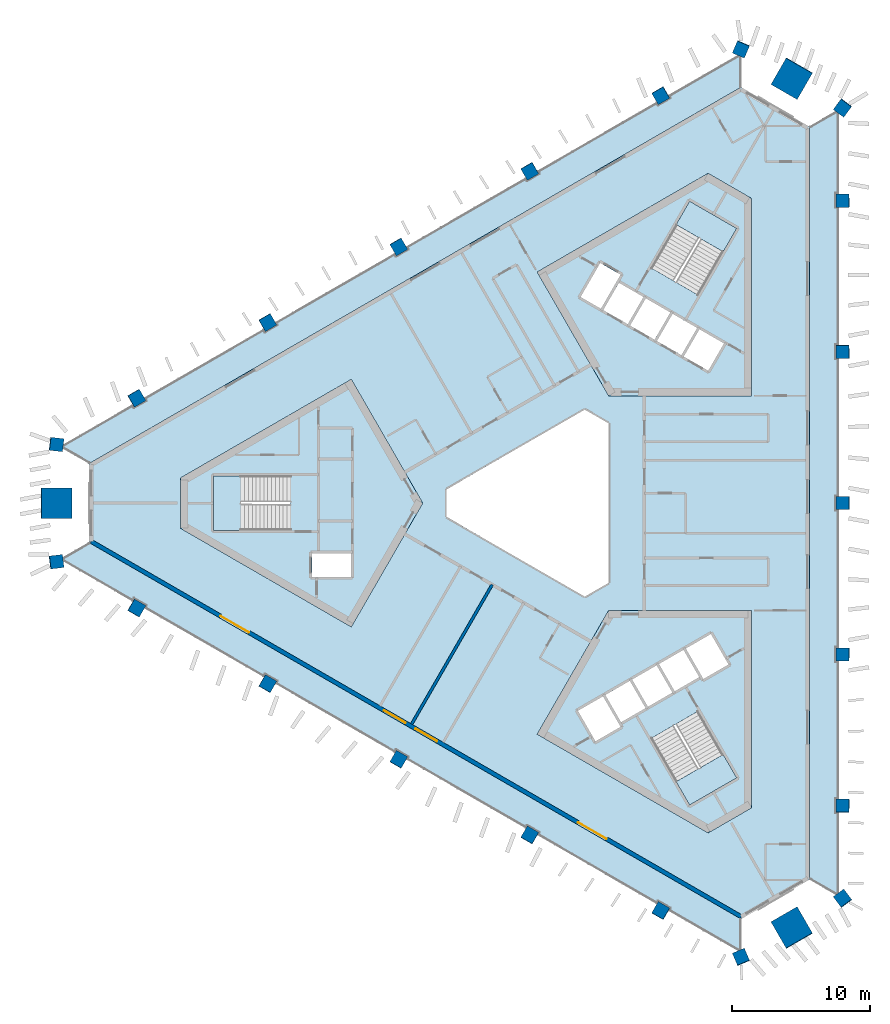
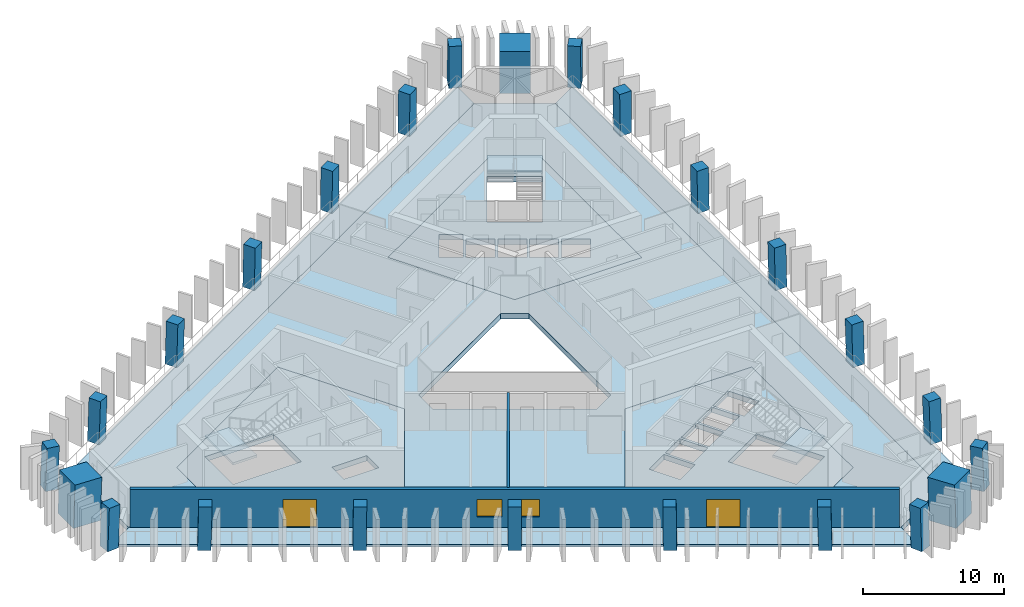
# One storey, part 1 of 10: 24 columns, 10 slabs, 2 doors, 2 walls, 2 windows, 4 openings, 3 elements without a shape of their own.
"""IFC4 building model written with IfcOpenShell, lengths in metres."""

from ifc_helpers import new_model, si_unit, direction, frame, frame_2d, origin, origin_2d, place, context, subcontext, project, spatial, polyline, rectangle, outline, extrude, material, layer, layer_set, material_profile, profile_set, type_object, element, fill, aggregate, save


model = new_model("IFC4")

# Units and contexts
model_context = context("Model", 3, precision=1e-05, world=origin(), true_north=direction((0.0, 1.0)))
body_context = subcontext(model_context, "Body", "Model", "MODEL_VIEW")
ifc_project = project(units=[si_unit("LENGTHUNIT", "METRE"), si_unit("AREAUNIT", "SQUARE_METRE"), si_unit("VOLUMEUNIT", "CUBIC_METRE"), si_unit("PLANEANGLEUNIT", "RADIAN"), si_unit("MASSUNIT", "GRAM", prefix="KILO")], contexts=[model_context])

# Site, building, storey
site_placement = place(None, origin())
site = spatial("IfcSite", under=ifc_project, at=site_placement, CompositionType="ELEMENT")
building_placement = place(site_placement, origin())
building = spatial("IfcBuilding", under=site, at=building_placement, Name="Jabali Bay Hotel Tower and Convention Centre", CompositionType="ELEMENT")
storey_placement = place(building_placement, frame((0.0, 0.0, 156.300048828125)))
storey = spatial("IfcBuildingStorey", under=building, at=storey_placement, Name="L37", CompositionType="ELEMENT", Elevation=156.300048828125)

# Columns
ifc_material_1 = material(Name="Concrete C60", Category="concrete")
ifc_material_profile_1 = material_profile(ifc_material_1, rectangle(XDim=0.949951171875, YDim=0.949951171875, at=origin_2d()), Name="Frame column 950")
ifc_profile_set_1 = profile_set([ifc_material_profile_1], Name="Concrete C60")
column_type_1 = type_object("IfcColumnType", Name="Frame column 950", PredefinedType="COLUMN", material=ifc_profile_set_1)
column_1_placement = place(storey_placement, frame((83.29052734375, 109.61279296875, 0.0), z_axis=(-0.008376454378, -0.028163354484, 0.999568237028), x_axis=(0.865847772055, 0.49985224108, 0.021339463807)))
element("IfcColumn", 1, at=column_1_placement, inside=storey, type_object=column_type_1, Name="FC4 F1.1 L37", PredefinedType="COLUMN", context=body_context, shape_type="SweptSolid", body=[
    extrude(rectangle(XDim=0.949951171875, YDim=0.949951171875, at=origin_2d()), origin(), (0.0, 0.0, 1.0), 3.70166015625),
])
column_2_placement = place(storey_placement, frame((73.770263671875, 104.1162109375, 0.0), z_axis=(0.000857578916, -0.022824792675, 0.999739112668), x_axis=(0.866060219769, 0.499825848733, 0.01066848966)))
element("IfcColumn", 2, at=column_2_placement, inside=storey, type_object=column_type_1, Name="FC4 F1.2 L37", PredefinedType="COLUMN", context=body_context, shape_type="SweptSolid", body=[
    extrude(rectangle(XDim=0.949951171875, YDim=0.949951171875, at=origin_2d()), origin(), (0.0, 0.0, 1.0), 3.700927734375),
])
column_3_placement = place(storey_placement, frame((64.25, 98.61962890625, 0.0), z_axis=(0.010093620709, -0.017482414954, 0.999796221231), x_axis=(-0.499897086036, 0.865849517735, 0.020187025824)))
element("IfcColumn", 3, at=column_3_placement, inside=storey, type_object=column_type_1, Name="FC4 F1.3 L37", PredefinedType="COLUMN", context=body_context, shape_type="SweptSolid", body=[
    extrude(rectangle(XDim=0.949951171875, YDim=0.949951171875, at=origin_2d()), origin(), (0.0, 0.0, 1.0), 3.70068359375),
])
column_4_placement = place(storey_placement, frame((54.729736328125, 93.123046875, 0.0), z_axis=(0.019262573858, -0.012138060239, 0.999740776773), x_axis=(-0.498866616408, 0.866444929774, 0.020131634383)))
element("IfcColumn", 4, at=column_4_placement, inside=storey, type_object=column_type_1, Name="FC4 F1.4 L37", PredefinedType="COLUMN", context=body_context, shape_type="SweptSolid", body=[
    extrude(rectangle(XDim=0.949951171875, YDim=0.949951171875, at=origin_2d()), origin(), (0.0, 0.0, 1.0), 3.700927734375),
])
for number, where, z_axis, x_axis, name in (
    (5, (45.209228515625, 87.62646484375, 0.0), (0.02855911485, -0.006793507689, 0.999569019734), (-0.50039805324, 0.86556025987, 0.020179812855), "FC4 F1.5 L37"),
    (6, (45.209228515625, 72.37353515625, 0.0), (0.02855911485, 0.006793507689, 0.999569019734), (-0.865324312193, 0.500758709147, 0.021320176848), "FC4 F2.1 L37"),
):
    element("IfcColumn", number, at=place(storey_placement, frame(where, z_axis=z_axis, x_axis=x_axis)), inside=storey, type_object=column_type_1, Name=name, PredefinedType="COLUMN", context=body_context, shape_type="SweptSolid", body=[
        extrude(rectangle(XDim=0.949951171875, YDim=0.949951171875, at=origin_2d()), origin(), (0.0, 0.0, 1.0), 3.70166015625),
    ])
column_5_placement = place(storey_placement, frame((54.729736328125, 66.876953125, 0.0), z_axis=(0.019262573858, 0.012138060239, 0.999740776773), x_axis=(-0.866464686114, 0.499125085687, 0.010634686412)))
element("IfcColumn", 7, at=column_5_placement, inside=storey, type_object=column_type_1, Name="FC4 F2.2 L37", PredefinedType="COLUMN", context=body_context, shape_type="SweptSolid", body=[
    extrude(rectangle(XDim=0.949951171875, YDim=0.949951171875, at=origin_2d()), origin(), (0.0, 0.0, 1.0), 3.700927734375),
])
column_6_placement = place(storey_placement, frame((64.25, 61.38037109375, 0.0), z_axis=(0.010093620709, 0.017482414954, 0.999796221231), x_axis=(-0.866025993948, 0.499998977805, 1.48331e-07)))
element("IfcColumn", 8, at=column_6_placement, inside=storey, type_object=column_type_1, Name="FC4 F2.3 L37", PredefinedType="COLUMN", context=body_context, shape_type="SweptSolid", body=[
    extrude(rectangle(XDim=0.949951171875, YDim=0.949951171875, at=origin_2d()), origin(), (0.0, 0.0, 1.0), 3.70068359375),
])
column_7_placement = place(storey_placement, frame((73.770263671875, 55.8837890625, 0.0), z_axis=(0.000857578916, 0.022824792675, 0.999739112668), x_axis=(-0.499938956565, -0.865825126557, 0.020196285069)))
element("IfcColumn", 9, at=column_7_placement, inside=storey, type_object=column_type_1, Name="FC4 F2.4 L37", PredefinedType="COLUMN", context=body_context, shape_type="SweptSolid", body=[
    extrude(rectangle(XDim=0.949951171875, YDim=0.949951171875, at=origin_2d()), origin(), (0.0, 0.0, 1.0), 3.700927734375),
])
for number, where, z_axis, x_axis, name in (
    (10, (83.29052734375, 50.38720703125, 0.0), (-0.008376454378, 0.028163354484, 0.999568237028), (-0.500237414274, -0.865652680093, 0.020198188241), "FC4 F2.5 L37"),
    (11, (96.500244140625, 58.013671875, 0.0), (-0.020182631348, 0.021369844956, 0.999567902205), (-0.001315292007, -0.999771248084, 0.021347634776), "FC4 F0.1 L37"),
):
    element("IfcColumn", number, at=place(storey_placement, frame(where, z_axis=z_axis, x_axis=x_axis)), inside=storey, type_object=column_type_1, Name=name, PredefinedType="COLUMN", context=body_context, shape_type="SweptSolid", body=[
        extrude(rectangle(XDim=0.949951171875, YDim=0.949951171875, at=origin_2d()), origin(), (0.0, 0.0, 1.0), 3.70166015625),
    ])
column_8_placement = place(storey_placement, frame((96.500244140625, 69.0068359375, 0.0), z_axis=(-0.020186088539, 0.010686752756, 0.999739123544), x_axis=(-0.001012906877, -0.999942577175, 0.010668475618)))
element("IfcColumn", 12, at=column_8_placement, inside=storey, type_object=column_type_1, Name="FC4 F0.2 L37", PredefinedType="COLUMN", context=body_context, shape_type="SweptSolid", body=[
    extrude(rectangle(XDim=0.949951171875, YDim=0.949951171875, at=origin_2d()), origin(), (0.0, 0.0, 1.0), 3.700927734375),
])
column_9_placement = place(storey_placement, frame((96.500244140625, 80.0, 0.0), z_axis=(-0.020187241331, 0.0, 0.99979621688), x_axis=(0.0, -1.0, 0.0)))
element("IfcColumn", 13, at=column_9_placement, inside=storey, type_object=column_type_1, Name="FC4 F0.3 L37", PredefinedType="COLUMN", context=body_context, shape_type="SweptSolid", body=[
    extrude(rectangle(XDim=0.949951171875, YDim=0.949951171875, at=origin_2d()), origin(), (0.0, 0.0, 1.0), 3.70068359375),
])
column_10_placement = place(storey_placement, frame((96.500244140625, 90.9931640625, 0.0), z_axis=(-0.020186088539, -0.010686752756, 0.999739123544), x_axis=(0.999795727061, 0.00079728784, 0.020195754082)))
element("IfcColumn", 14, at=column_10_placement, inside=storey, type_object=column_type_1, Name="FC4 F0.4 L37", PredefinedType="COLUMN", context=body_context, shape_type="SweptSolid", body=[
    extrude(rectangle(XDim=0.949951171875, YDim=0.949951171875, at=origin_2d()), origin(), (0.0, 0.0, 1.0), 3.700927734375),
])
column_11_placement = place(storey_placement, frame((96.500244140625, 101.986328125, 0.0), z_axis=(-0.020182631348, -0.021369844956, 0.999567902205), x_axis=(0.999795444778, 0.000883872229, 0.020206122118)))
element("IfcColumn", 15, at=column_11_placement, inside=storey, type_object=column_type_1, Name="FC4 F0.5 L37", PredefinedType="COLUMN", context=body_context, shape_type="SweptSolid", body=[
    extrude(rectangle(XDim=0.949951171875, YDim=0.949951171875, at=origin_2d()), origin(), (0.0, 0.0, 1.0), 3.70166015625),
])
for number, where, z_axis, x_axis, name in (
    (16, (96.500244140625, 51.28076171875, 0.0), (-0.020178741915, 0.029015184452, 0.999375273581), (-0.800633531076, -0.599153099947, 0.001229528437), "FC4 V0 L37"),
    (17, (96.500244140625, 108.71923828125, 0.0), (-0.020178741915, -0.029015184452, 0.999375273581), (0.598814468171, 0.800108543821, 0.035320685354), "FC4 V1 L37"),
    (18, (89.12158203125, 112.979248046875, 0.0), (-0.015035141917, -0.031982648376, 0.99937533225), (0.919230142433, -0.393718724379, 0.001229356064), "FC4 V2 L37"),
    (19, (39.378173828125, 84.260009765625, 0.0), (0.03521388716, -0.002967462401, 0.999375393092), (-0.992321279642, 0.118537614043, 0.035317304913), "FC4 V3 L37"),
    (20, (39.378173828125, 75.739990234375, 0.0), (0.03521388716, 0.002967462401, 0.999375393092), (-0.118568377405, 0.992945128506, 0.001229494078), "FC4 V4 L37"),
    (21, (89.12158203125, 47.020751953125, 0.0), (-0.015035141917, 0.031982648376, 0.99937533225), (0.393433462926, -0.918674412551, 0.035319031319), "FC4 V5 L37"),
):
    element("IfcColumn", number, at=place(storey_placement, frame(where, z_axis=z_axis, x_axis=x_axis)), inside=storey, type_object=column_type_1, Name=name, PredefinedType="COLUMN", context=body_context, shape_type="SweptSolid", body=[
        extrude(rectangle(XDim=0.949951171875, YDim=0.949951171875, at=origin_2d()), origin(), (0.0, 0.0, 1.0), 3.7021484375),
    ])
ifc_material_2 = material(Name="Concrete C70", Category="concrete")
ifc_material_profile_2 = material_profile(ifc_material_2, rectangle(XDim=2.199951171875, YDim=2.199951171875, at=origin_2d()), Name="Mega column 2200")
ifc_profile_set_2 = profile_set([ifc_material_profile_2], Name="Concrete C70")
column_type_2 = type_object("IfcColumnType", Name="Mega column 2200", PredefinedType="COLUMN", material=ifc_profile_set_2)
for number, where, z_axis, x_axis, name in (
    (22, (92.810791015625, 110.849365234375, 0.0), (-0.017607001884, -0.030531992032, 0.999378702468), (0.866279052578, -0.499560409824, 2.461e-09), "MC4 M1 L37"),
    (23, (39.378173828125, 80.0, 0.0), (0.035214042205, 0.0, 0.999379793288), (0.0, 1.0, 0.0), "MC4 M0 L37"),
    (24, (92.810791015625, 49.150634765625, 0.0), (-0.017607001884, 0.030531992032, 0.999378702468), (0.4992500341, -0.865740835585, 0.035244986208), "MC4 M2 L37"),
):
    element("IfcColumn", number, at=place(storey_placement, frame(where, z_axis=z_axis, x_axis=x_axis)), inside=storey, type_object=column_type_2, Name=name, PredefinedType="COLUMN", context=body_context, shape_type="SweptSolid", body=[
        extrude(rectangle(XDim=2.199951171875, YDim=2.199951171875, at=origin_2d()), origin(), (0.0, 0.0, 1.0), 3.7021484375),
    ])

# Slabs
ifc_material_3 = material(Name="Concrete C40", Category="concrete")
ifc_layer_1 = layer(ifc_material_3, 0.449951171875)
ifc_layer_set_1 = layer_set([ifc_layer_1], Name="Concrete C40")
slab_type_1 = type_object("IfcSlabType", Name="Core floor slab 450", PredefinedType="FLOOR", material=ifc_layer_set_1)
slab_1_placement = place(storey_placement, frame((0.0, 0.0, -0.449951171875)))
element("IfcSlab", 25, at=slab_1_placement, inside=storey, type_object=slab_type_1, Name="Core floor slab 1 L37", PredefinedType="FLOOR", context=body_context, shape_type="SweptSolid", body=[
    extrude(outline(polyline([(66.0, 80.0), (60.81005859375, 88.9892578125), (48.39697265625, 81.82275390625), (48.39697265625, 78.17724609375), (60.81005859375, 71.0107421875), (66.0, 80.0)]), holes=[polyline([(60.800048828125, 76.35009765625), (57.949951171875, 76.35009765625), (57.949951171875, 74.64990234375), (60.800048828125, 74.64990234375), (60.800048828125, 76.35009765625)]), polyline([(50.820068359375, 81.97509765625), (50.820068359375, 78.02490234375), (56.409912109375, 78.02490234375), (56.409912109375, 81.97509765625), (50.820068359375, 81.97509765625)])]), origin(), (0.0, 0.0, 1.0), 0.449951171875),
])
slab_2_placement = place(storey_placement, frame((0.0, 0.0, -0.449951171875)))
element("IfcSlab", 26, at=slab_2_placement, inside=storey, type_object=slab_type_1, Name="Core floor slab 2 L37", PredefinedType="FLOOR", context=body_context, shape_type="SweptSolid", body=[
    extrude(outline(polyline([(79.5, 87.794189453125), (89.8798828125, 87.794189453125), (89.8798828125, 102.127685546875), (86.72314453125, 103.9501953125), (74.31005859375, 96.78369140625), (79.5, 87.794189453125)]), holes=[polyline([(84.957763671875, 90.6474609375), (86.733154296875, 89.62255859375), (87.873291015625, 91.59716796875), (86.097900390625, 92.6220703125), (84.957763671875, 90.6474609375)]), polyline([(84.1494140625, 93.7470703125), (83.00927734375, 91.7724609375), (84.78466796875, 90.74755859375), (85.924560546875, 92.72216796875), (84.1494140625, 93.7470703125)]), polyline([(82.20068359375, 94.8720703125), (81.060791015625, 92.8974609375), (82.836181640625, 91.87255859375), (83.97607421875, 93.84716796875), (82.20068359375, 94.8720703125)]), polyline([(79.1123046875, 94.0224609375), (80.887451171875, 92.99755859375), (82.027587890625, 94.97216796875), (80.252197265625, 95.9970703125), (79.1123046875, 94.0224609375)]), polyline([(78.891845703125, 97.440673828125), (77.466796875, 94.97265625), (78.93896484375, 94.12255859375), (80.364013671875, 96.5908203125), (78.891845703125, 97.440673828125)]), polyline([(82.584716796875, 97.0869140625), (86.00537109375, 95.11181640625), (88.80029296875, 99.952880859375), (85.379638671875, 101.927978515625), (82.584716796875, 97.0869140625)])]), origin(), (0.0, 0.0, 1.0), 0.449951171875),
])
slab_3_placement = place(storey_placement, frame((0.0, 0.0, -0.449951171875)))
element("IfcSlab", 27, at=slab_3_placement, inside=storey, type_object=slab_type_1, Name="Core floor slab 3 L37", PredefinedType="FLOOR", context=body_context, shape_type="SweptSolid", body=[
    extrude(outline(polyline([(79.5, 72.205810546875), (74.31005859375, 63.21630859375), (86.72314453125, 56.0498046875), (89.8798828125, 57.872314453125), (89.8798828125, 72.205810546875), (79.5, 72.205810546875)]), holes=[polyline([(82.584716796875, 62.9130859375), (85.379638671875, 58.072021484375), (88.80029296875, 60.047119140625), (86.00537109375, 64.88818359375), (82.584716796875, 62.9130859375)]), polyline([(80.365478515625, 63.756591796875), (79.090576171875, 65.96484375), (77.27197265625, 64.9150390625), (78.546875, 62.70654296875), (80.365478515625, 63.756591796875)]), polyline([(82.17919921875, 65.115478515625), (81.0390625, 67.08984375), (79.263671875, 66.06494140625), (80.40380859375, 64.09033203125), (82.17919921875, 65.115478515625)]), polyline([(82.98779296875, 68.21484375), (81.21240234375, 67.18994140625), (82.352294921875, 65.21533203125), (84.127685546875, 66.240478515625), (82.98779296875, 68.21484375)]), polyline([(86.076171875, 67.365478515625), (84.936279296875, 69.33984375), (83.160888671875, 68.31494140625), (84.30078125, 66.34033203125), (86.076171875, 67.365478515625)]), polyline([(88.203125, 68.281494140625), (86.927978515625, 70.489990234375), (85.109375, 69.43994140625), (86.384521484375, 67.231689453125), (88.203125, 68.281494140625)])]), origin(), (0.0, 0.0, 1.0), 0.449951171875),
])
ifc_layer_2 = layer(ifc_material_3, 0.199951171875)
ifc_layer_set_2 = layer_set([ifc_layer_2], Name="Concrete C40")
slab_type_2 = type_object("IfcSlabType", Name="Loggia slab 200", PredefinedType="FLOOR", material=ifc_layer_set_2)
slab_4_placement = place(storey_placement, frame((0.0, 0.0, -0.199951171875)))
element("IfcSlab", 28, at=slab_4_placement, inside=storey, type_object=slab_type_2, Name="Loggia slab east face L37", PredefinedType="FLOOR", context=body_context, shape_type="SweptSolid", body=[
    extrude(outline(polyline([(94.10009765625, 107.333740234375), (96.052734375, 108.4609375), (96.2001953125, 108.3505859375), (96.2001953125, 102.461181640625), (96.025146484375, 102.461181640625), (96.025146484375, 101.51123046875), (96.2001953125, 101.51123046875), (96.2001953125, 91.468017578125), (96.025146484375, 91.468017578125), (96.025146484375, 90.51806640625), (96.2001953125, 90.51806640625), (96.2001953125, 80.47509765625), (96.025146484375, 80.47509765625), (96.025146484375, 79.52490234375), (96.2001953125, 79.52490234375), (96.2001953125, 69.48193359375), (96.025146484375, 69.48193359375), (96.025146484375, 68.531982421875), (96.2001953125, 68.531982421875), (96.2001953125, 58.48876953125), (96.025146484375, 58.48876953125), (96.025146484375, 57.538818359375), (96.2001953125, 57.538818359375), (96.2001953125, 51.6494140625), (96.052734375, 51.5390625), (94.10009765625, 52.666259765625), (94.10009765625, 107.333740234375)])), origin(), (0.0, 0.0, 1.0), 0.199951171875),
])
slab_5_placement = place(storey_placement, frame((0.0, 0.0, -0.199951171875)))
element("IfcSlab", 29, at=slab_5_placement, inside=storey, type_object=slab_type_2, Name="Loggia slab north-west face L37", PredefinedType="FLOOR", context=body_context, shape_type="SweptSolid", body=[
    extrude(outline(polyline([(41.7783203125, 82.874267578125), (39.82568359375, 84.001708984375), (39.84765625, 84.1845703125), (44.947998046875, 87.129150390625), (45.035400390625, 86.977783203125), (45.858154296875, 87.45263671875), (45.770751953125, 87.604248046875), (54.46826171875, 92.625732421875), (54.5556640625, 92.474365234375), (55.37841796875, 92.94921875), (55.291015625, 93.100830078125), (63.988525390625, 98.122314453125), (64.076171875, 97.970703125), (64.898681640625, 98.44580078125), (64.811279296875, 98.597412109375), (73.5087890625, 103.618896484375), (73.596435546875, 103.46728515625), (74.419189453125, 103.9423828125), (74.33154296875, 104.093994140625), (83.029296875, 109.115478515625), (83.11669921875, 108.9638671875), (83.939453125, 109.43896484375), (83.851806640625, 109.590576171875), (88.9521484375, 112.53515625), (89.12158203125, 112.462646484375), (89.12158203125, 110.2080078125), (41.7783203125, 82.874267578125)])), origin(), (0.0, 0.0, 1.0), 0.199951171875),
])
slab_6_placement = place(storey_placement, frame((0.0, 0.0, -0.199951171875)))
element("IfcSlab", 30, at=slab_6_placement, inside=storey, type_object=slab_type_2, Name="Loggia slab south-west face L37", PredefinedType="FLOOR", context=body_context, shape_type="SweptSolid", body=[
    extrude(outline(polyline([(89.12158203125, 49.7919921875), (89.12158203125, 47.537353515625), (88.9521484375, 47.46484375), (83.851806640625, 50.409423828125), (83.939453125, 50.56103515625), (83.11669921875, 51.0361328125), (83.029296875, 50.884521484375), (74.33154296875, 55.906005859375), (74.419189453125, 56.0576171875), (73.596435546875, 56.53271484375), (73.5087890625, 56.381103515625), (64.811279296875, 61.402587890625), (64.898681640625, 61.55419921875), (64.076171875, 62.029296875), (63.988525390625, 61.877685546875), (55.291015625, 66.899169921875), (55.37841796875, 67.05078125), (54.5556640625, 67.525634765625), (54.46826171875, 67.374267578125), (45.770751953125, 72.395751953125), (45.858154296875, 72.54736328125), (45.035400390625, 73.022216796875), (44.947998046875, 72.870849609375), (39.84765625, 75.8154296875), (39.82568359375, 75.998291015625), (41.7783203125, 77.125732421875), (89.12158203125, 49.7919921875)])), origin(), (0.0, 0.0, 1.0), 0.199951171875),
])
ifc_layer_3 = layer(ifc_material_3, 0.449951171875)
ifc_layer_set_3 = layer_set([ifc_layer_3], Name="Concrete C40")
slab_type_3 = type_object("IfcSlabType", Name="Post-tensioned flat slab 450", PredefinedType="FLOOR", material=ifc_layer_set_3)
slab_7_placement = place(storey_placement, frame((0.0, 0.0, -0.449951171875)))
element("IfcSlab", 31, at=slab_7_placement, inside=storey, type_object=slab_type_3, Name="Floor slab L37", PredefinedType="FLOOR", context=body_context, shape_type="SweptSolid", body=[
    extrude(outline(polyline([(89.12158203125, 110.2080078125), (94.10009765625, 107.333740234375), (94.10009765625, 52.666259765625), (89.12158203125, 49.7919921875), (41.7783203125, 77.125732421875), (41.7783203125, 82.874267578125), (89.12158203125, 110.2080078125)]), holes=[polyline([(67.73193359375, 79.0), (77.76806640625, 73.205810546875), (79.5, 74.205810546875), (79.5, 85.794189453125), (77.76806640625, 86.794189453125), (67.73193359375, 81.0), (67.73193359375, 79.0)]), polyline([(48.39697265625, 78.17724609375), (60.81005859375, 71.0107421875), (66.0, 80.0), (60.81005859375, 88.9892578125), (48.39697265625, 81.82275390625), (48.39697265625, 78.17724609375)]), polyline([(89.8798828125, 102.127685546875), (86.72314453125, 103.9501953125), (74.31005859375, 96.78369140625), (79.5, 87.794189453125), (89.8798828125, 87.794189453125), (89.8798828125, 102.127685546875)]), polyline([(74.31005859375, 63.21630859375), (86.72314453125, 56.0498046875), (89.8798828125, 57.872314453125), (89.8798828125, 72.205810546875), (79.5, 72.205810546875), (74.31005859375, 63.21630859375)])]), origin(), (0.0, 0.0, 1.0), 0.449951171875),
])

# Stair, slab
stair_type = type_object("IfcStairType", Name="Exit stair 1900", PredefinedType="HALF_TURN_STAIR", material=ifc_material_3)
stair_1_placement = place(storey_placement, origin())
stair_1 = element("IfcStair", 32, at=stair_1_placement, inside=storey, type_object=stair_type, Name="L37 Exit Stair 1", PredefinedType="HALF_TURN_STAIR")
ifc_layer_4 = layer(ifc_material_3, 0.199951171875)
ifc_layer_set_4 = layer_set([ifc_layer_4], Name="Concrete C40")
slab_type_4 = type_object("IfcSlabType", Name="Stair landing 200", PredefinedType="LANDING", material=ifc_layer_set_4)
slab_8_placement = place(storey_placement, frame((0.0, 0.0, 1.64990234375)))
slab_8 = element("IfcSlab", 33, at=slab_8_placement, type_object=slab_type_4, Name="ST1 landing 1", PredefinedType="LANDING", context=body_context, shape_type="SweptSolid", body=[
    extrude(outline(polyline([(52.782958984375, 81.97509765625), (50.820068359375, 81.97509765625), (50.820068359375, 78.02490234375), (52.782958984375, 78.02490234375), (52.782958984375, 81.97509765625)])), origin(), (0.0, 0.0, 1.0), 0.199951171875),
])
aggregate(stair_1, [slab_8])

stair_2_placement = place(storey_placement, origin())
stair_2 = element("IfcStair", 34, at=stair_2_placement, inside=storey, type_object=stair_type, Name="L37 Exit Stair 2", PredefinedType="HALF_TURN_STAIR")
slab_9_placement = place(storey_placement, frame((0.0, 0.0, 1.64990234375)))
slab_9 = element("IfcSlab", 35, at=slab_9_placement, type_object=slab_type_4, Name="ST2 landing 1", PredefinedType="LANDING", context=body_context, shape_type="SweptSolid", body=[
    extrude(outline(polyline([(87.81884765625, 98.2529296875), (88.80029296875, 99.952880859375), (85.379638671875, 101.927978515625), (84.398193359375, 100.22802734375), (87.81884765625, 98.2529296875)])), origin(), (0.0, 0.0, 1.0), 0.199951171875),
])
aggregate(stair_2, [slab_9])

stair_3_placement = place(storey_placement, origin())
stair_3 = element("IfcStair", 36, at=stair_3_placement, inside=storey, type_object=stair_type, Name="L37 Exit Stair 3", PredefinedType="HALF_TURN_STAIR")
slab_10_placement = place(storey_placement, frame((0.0, 0.0, 1.64990234375)))
slab_10 = element("IfcSlab", 37, at=slab_10_placement, type_object=slab_type_4, Name="ST3 landing 1", PredefinedType="LANDING", context=body_context, shape_type="SweptSolid", body=[
    extrude(outline(polyline([(84.398193359375, 59.77197265625), (85.379638671875, 58.072021484375), (88.80029296875, 60.047119140625), (87.81884765625, 61.7470703125), (84.398193359375, 59.77197265625)])), origin(), (0.0, 0.0, 1.0), 0.199951171875),
])
aggregate(stair_3, [slab_10])

# Wall, openings, doors, windows
ifc_layer_5 = layer(ifc_material_3, 0.300048828125)
ifc_layer_set_5 = layer_set([ifc_layer_5], Name="Concrete C40")
wall_type_1 = type_object("IfcWallType", Name="External wall 300", PredefinedType="SOLIDWALL", material=ifc_layer_set_5)
wall_1_placement = place(storey_placement, frame((89.12158203125, 49.965087890625, 0.0), z_axis=(0.0, 0.0, 1.0), x_axis=(-0.866025629663, 0.499999608766, 0.0)))
wall_1 = element("IfcWall", 38, at=wall_1_placement, inside=storey, type_object=wall_type_1, Name="External wall south-west face L37", PredefinedType="SOLIDWALL", context=body_context, shape_type="SweptSolid", body=[
    extrude(rectangle(XDim=54.494140625, YDim=0.300048828125, at=frame_2d((27.2470703125, 0.0))), origin(), (0.0, 0.0, 1.0), 3.25),
])
opening_1_placement = place(wall_1_placement, frame((41.272705078125, 0.0, 0.0)))
opening_1 = element("IfcOpeningElement", 39, at=opening_1_placement, cuts=wall_1, Name="Opening SD1", PredefinedType="OPENING", context=body_context, shape_type="SweptSolid", body=[
    extrude(rectangle(XDim=2.39990234375, YDim=2.39990234375, at=frame_2d((1.199951171875, 1.199951171875))), frame((0.0, 0.16064453125, 0.0), z_axis=(0.0, -1.0, 0.0), x_axis=(1.0, 0.0, 0.0)), (0.0, 0.0, 1.0), 0.321044921875),
])
opening_2_placement = place(wall_1_placement, frame((11.2890625, 0.0, 0.0)))
opening_2 = element("IfcOpeningElement", 40, at=opening_2_placement, cuts=wall_1, Name="Opening SD1", PredefinedType="OPENING", context=body_context, shape_type="SweptSolid", body=[
    extrude(rectangle(XDim=2.39990234375, YDim=2.39990234375, at=frame_2d((1.199951171875, 1.199951171875))), frame((0.0, 0.16064453125, 0.0), z_axis=(0.0, -1.0, 0.0), x_axis=(1.0, 0.0, 0.0)), (0.0, 0.0, 1.0), 0.321044921875),
])
opening_3_placement = place(wall_1_placement, frame((28.1396484375, 0.0, 0.89990234375)))
opening_3 = element("IfcOpeningElement", 41, at=opening_3_placement, cuts=wall_1, Name="Opening W1", PredefinedType="OPENING", context=body_context, shape_type="SweptSolid", body=[
    extrude(rectangle(XDim=1.800048828125, YDim=1.5, at=frame_2d((0.89990234375, 0.75))), frame((0.0, 0.16064453125, 0.0), z_axis=(0.0, -1.0, 0.0), x_axis=(1.0, 0.0, 0.0)), (0.0, 0.0, 1.0), 0.321044921875),
])
opening_4_placement = place(wall_1_placement, frame((25.48974609375, 0.0, 0.89990234375)))
opening_4 = element("IfcOpeningElement", 42, at=opening_4_placement, cuts=wall_1, Name="Opening W1", PredefinedType="OPENING", context=body_context, shape_type="SweptSolid", body=[
    extrude(rectangle(XDim=1.800048828125, YDim=1.5, at=frame_2d((0.89990234375, 0.75))), frame((0.0, 0.16064453125, 0.0), z_axis=(0.0, -1.0, 0.0), x_axis=(1.0, 0.0, 0.0)), (0.0, 0.0, 1.0), 0.321044921875),
])
ifc_material_4 = material(Name="Glass", Category="glass")
door_type = type_object("IfcDoorType", Name="Loggia sliding door 2400 x 2400", OperationType="NOTDEFINED", PredefinedType="NOTDEFINED", material=ifc_material_4)
door_1_placement = place(opening_1_placement, origin())
door_1 = element("IfcDoor", 43, at=door_1_placement, inside=storey, type_object=door_type, Name="Loggia sliding door 3710", OperationType="SLIDING_TO_LEFT", OverallHeight=2.39990234375, OverallWidth=2.39990234375, PredefinedType="NOTDEFINED", context=body_context, shape_type="SweptSolid", body=[
    extrude(rectangle(XDim=2.39990234375, YDim=2.39990234375, at=frame_2d((1.199951171875, 1.199951171875))), frame((0.0, 0.02490234375, 0.0), z_axis=(0.0, -1.0, 0.0), x_axis=(1.0, 0.0, 0.0)), (0.0, 0.0, 1.0), 0.050048828125),
])
fill(opening_1, door_1)
door_2_placement = place(opening_2_placement, origin())
door_2 = element("IfcDoor", 44, at=door_2_placement, inside=storey, type_object=door_type, Name="Loggia sliding door 3713", OperationType="SLIDING_TO_RIGHT", OverallHeight=2.39990234375, OverallWidth=2.39990234375, PredefinedType="NOTDEFINED", context=body_context, shape_type="SweptSolid", body=[
    extrude(rectangle(XDim=2.39990234375, YDim=2.39990234375, at=frame_2d((1.199951171875, 1.199951171875))), frame((0.0, 0.02490234375, 0.0), z_axis=(0.0, -1.0, 0.0), x_axis=(1.0, 0.0, 0.0)), (0.0, 0.0, 1.0), 0.050048828125),
])
fill(opening_2, door_2)
window_type = type_object("IfcWindowType", Name="Window 1800 x 1500", PartitioningType="SINGLE_PANEL", PredefinedType="WINDOW", material=ifc_material_4)
window_1_placement = place(opening_3_placement, origin())
window_1 = element("IfcWindow", 45, at=window_1_placement, inside=storey, type_object=window_type, Name="Window 3711", OverallHeight=1.5, OverallWidth=1.800048828125, PartitioningType="SINGLE_PANEL", PredefinedType="WINDOW", context=body_context, shape_type="SweptSolid", body=[
    extrude(rectangle(XDim=1.800048828125, YDim=1.5, at=frame_2d((0.89990234375, 0.75))), frame((0.0, 0.030029296875, 0.0), z_axis=(0.0, -1.0, 0.0), x_axis=(1.0, 0.0, 0.0)), (0.0, 0.0, 1.0), 0.06005859375),
])
fill(opening_3, window_1)
window_2_placement = place(opening_4_placement, origin())
window_2 = element("IfcWindow", 46, at=window_2_placement, inside=storey, type_object=window_type, Name="Window 3712", OverallHeight=1.5, OverallWidth=1.800048828125, PartitioningType="SINGLE_PANEL", PredefinedType="WINDOW", context=body_context, shape_type="SweptSolid", body=[
    extrude(rectangle(XDim=1.800048828125, YDim=1.5, at=frame_2d((0.89990234375, 0.75))), frame((0.0, 0.030029296875, 0.0), z_axis=(0.0, -1.0, 0.0), x_axis=(1.0, 0.0, 0.0)), (0.0, 0.0, 1.0), 0.06005859375),
])
fill(opening_4, window_2)

# Wall
ifc_material_5 = material(Name="Plasterboard on steel stud", Category="steel")
ifc_layer_6 = layer(ifc_material_5, 0.199951171875)
ifc_layer_set_6 = layer_set([ifc_layer_6], Name="Plasterboard on steel stud")
wall_type_2 = type_object("IfcWallType", Name="Partition 200 party", PredefinedType="PARTITIONING", material=ifc_layer_set_6)
wall_2_placement = place(storey_placement, frame((65.1943359375, 63.95166015625, 0.0), z_axis=(0.0, 0.0, 1.0), x_axis=(0.500007820066, 0.86602088882, 0.0)))
element("IfcWall", 47, at=wall_2_placement, inside=storey, type_object=wall_type_2, Name="Partition P01 L37 037", PredefinedType="PARTITIONING", context=body_context, shape_type="SweptSolid", body=[
    extrude(rectangle(XDim=11.700927734375, YDim=0.199951171875, at=frame_2d((5.8505859375, 0.0))), origin(), (0.0, 0.0, 1.0), 3.25),
])

save(model, "model.ifc")
